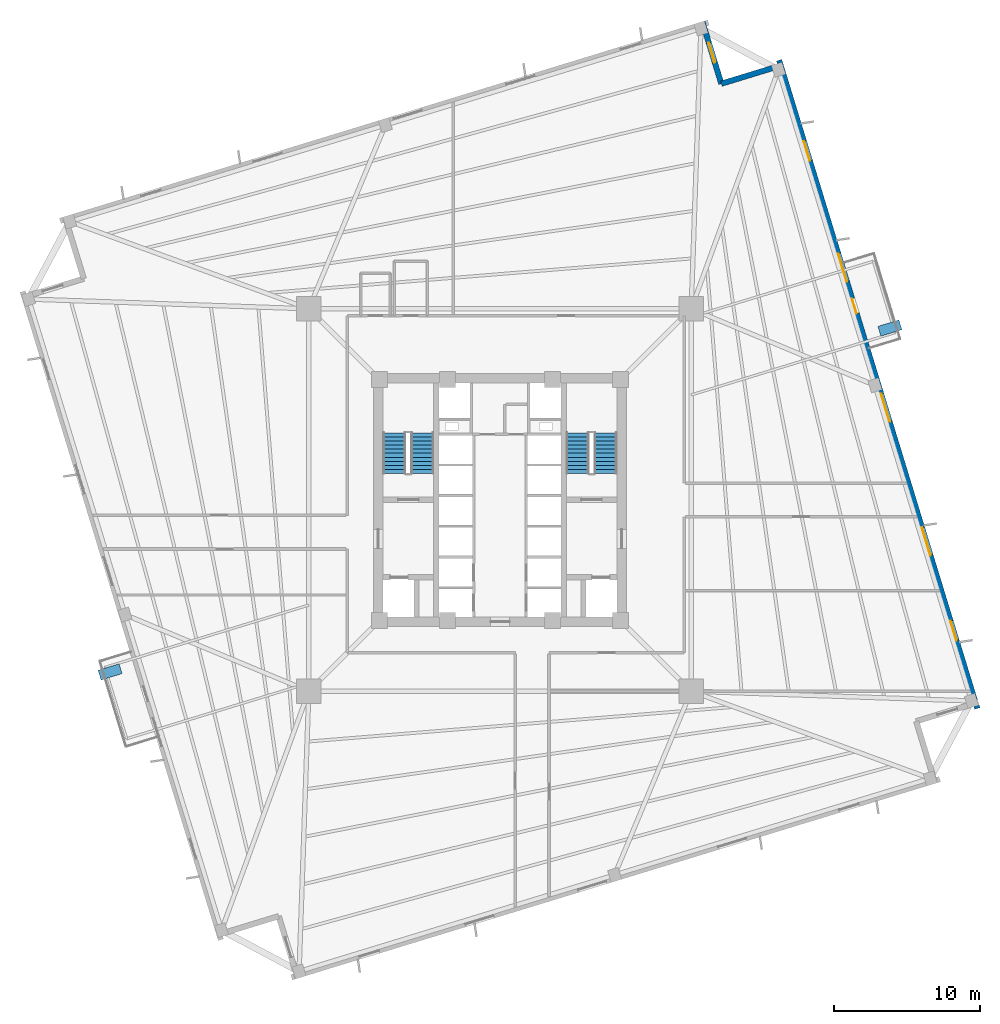
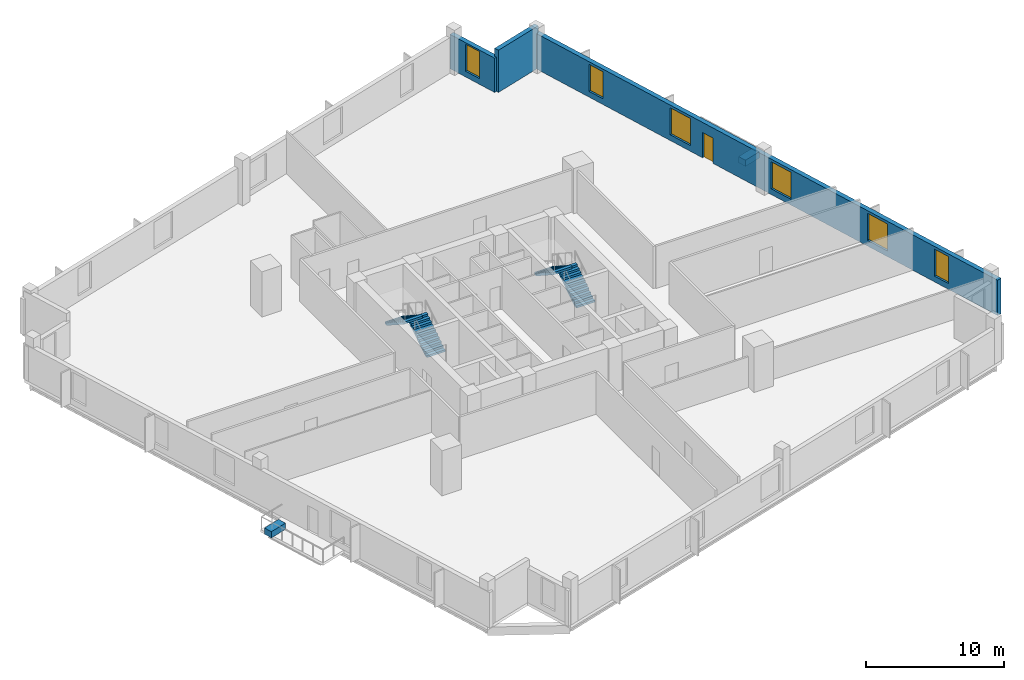
# One storey, part 6 of 9: 6 windows, 4 stair flights, 3 walls, 2 discrete accessories, 1 door, 7 openings, 2 elements without a shape of their own.
"""IFC4 building model written with IfcOpenShell, lengths in metres."""

from ifc_helpers import new_model, si_unit, direction, frame, frame_2d, origin, origin_2d, place, context, subcontext, project, spatial, polyline, rectangle, outline, extrude, source, transform, mapped, material, layer, layer_set, type_object, element, fill, aggregate, save


model = new_model("IFC4")

# Units and contexts
model_context = context("Model", 3, precision=1e-05, world=origin(), true_north=direction((0.0, 1.0)))
body_context = subcontext(model_context, "Body", "Model", "MODEL_VIEW")
ifc_project = project(units=[si_unit("LENGTHUNIT", "METRE"), si_unit("AREAUNIT", "SQUARE_METRE"), si_unit("VOLUMEUNIT", "CUBIC_METRE"), si_unit("PLANEANGLEUNIT", "RADIAN"), si_unit("MASSUNIT", "GRAM", prefix="KILO"), si_unit("THERMODYNAMICTEMPERATUREUNIT", "KELVIN")], contexts=[model_context])

# Site, building, storey
site_placement = place(None, origin())
site = spatial("IfcSite", under=ifc_project, at=site_placement, CompositionType="ELEMENT")
building_placement = place(site_placement, origin())
building = spatial("IfcBuilding", under=site, at=building_placement, Name="Kosmvard Interchange Tower", CompositionType="ELEMENT")
storey_placement = place(building_placement, frame((0.0, 0.0, 95.199951171875)))
storey = spatial("IfcBuildingStorey", under=building, at=storey_placement, Name="L22", CompositionType="ELEMENT", Elevation=95.199951171875)

# Wall, openings, door, windows
ifc_material_1 = material(Name="Precast concrete C45/55", Category="concrete")
ifc_layer = layer(ifc_material_1, 0.3798828125, Name="Precast concrete C45/55")
ifc_layer_set = layer_set([ifc_layer], Name="Precast concrete C45/55")
wall_type = type_object("IfcWallType", Name="Lower Tower Precast Pier Wall 380 C45/55", PredefinedType="STANDARD", material=ifc_layer_set)
wall_1_placement = place(storey_placement, frame((32.65771484375, -14.26513671875, 0.0), z_axis=(0.0, 0.0, 1.0), x_axis=(-0.292373127906, 0.956304320851, 0.0)))
wall_1 = element("IfcWall", 1, at=wall_1_placement, inside=storey, type_object=wall_type, Name="L22 Precast Facade Wall F-E", PredefinedType="STANDARD", context=body_context, shape_type="SweptSolid", body=[
    extrude(rectangle(XDim=46.380126953125, YDim=0.3798828125, at=frame_2d((23.18994140625, 0.0))), origin(), (0.0, 0.0, 1.0), 3.14013671875),
])
opening_1_placement = place(wall_1_placement, frame((28.264892578125, 0.0, 0.0)))
opening_1 = element("IfcOpeningElement", 2, at=opening_1_placement, cuts=wall_1, Name="Opening L22-BDE", PredefinedType="OPENING", context=body_context, shape_type="SweptSolid", body=[
    extrude(rectangle(XDim=1.050048828125, YDim=2.25, at=frame_2d((0.52490234375, 1.125))), frame((0.0, 0.199951171875, 0.0), z_axis=(0.0, -1.0, 0.0), x_axis=(1.0, 0.0, 0.0)), (0.0, 0.0, 1.0), 0.39990234375),
])
opening_2_placement = place(wall_1_placement, frame((4.865478515625, 0.0, 0.510009765625)))
opening_2 = element("IfcOpeningElement", 3, at=opening_2_placement, cuts=wall_1, Name="Opening L22-W06", PredefinedType="OPENING", context=body_context, shape_type="SweptSolid", body=[
    extrude(rectangle(XDim=1.39990234375, YDim=2.39990234375, at=frame_2d((0.699951171875, 1.199951171875))), frame((0.0, 0.199951171875, 0.0), z_axis=(0.0, -1.0, 0.0), x_axis=(1.0, 0.0, 0.0)), (0.0, 0.0, 1.0), 0.39990234375),
])
opening_3_placement = place(wall_1_placement, frame((10.9501953125, 0.0, 0.510009765625)))
opening_3 = element("IfcOpeningElement", 4, at=opening_3_placement, cuts=wall_1, Name="Opening L22-W07", PredefinedType="OPENING", context=body_context, shape_type="SweptSolid", body=[
    extrude(rectangle(XDim=2.0, YDim=2.39990234375, at=frame_2d((1.0, 1.199951171875))), frame((0.0, 0.199951171875, 0.0), z_axis=(0.0, -1.0, 0.0), x_axis=(1.0, 0.0, 0.0)), (0.0, 0.0, 1.0), 0.39990234375),
])
opening_4_placement = place(wall_1_placement, frame((20.512451171875, 0.0, 0.510009765625)))
opening_4 = element("IfcOpeningElement", 5, at=opening_4_placement, cuts=wall_1, Name="Opening L22-W08", PredefinedType="OPENING", context=body_context, shape_type="SweptSolid", body=[
    extrude(rectangle(XDim=2.0, YDim=2.39990234375, at=frame_2d((1.0, 1.199951171875))), frame((0.0, 0.199951171875, 0.0), z_axis=(0.0, -1.0, 0.0), x_axis=(1.0, 0.0, 0.0)), (0.0, 0.0, 1.0), 0.39990234375),
])
opening_5_placement = place(wall_1_placement, frame((30.538330078125, 0.0, 0.510009765625)))
opening_5 = element("IfcOpeningElement", 6, at=opening_5_placement, cuts=wall_1, Name="Opening L22-W09", PredefinedType="OPENING", context=body_context, shape_type="SweptSolid", body=[
    extrude(rectangle(XDim=2.0, YDim=2.39990234375, at=frame_2d((1.0, 1.199951171875))), frame((0.0, 0.199951171875, 0.0), z_axis=(0.0, -1.0, 0.0), x_axis=(1.0, 0.0, 0.0)), (0.0, 0.0, 1.0), 0.39990234375),
])
opening_6_placement = place(wall_1_placement, frame((39.186767578125, 0.0, 0.510009765625)))
opening_6 = element("IfcOpeningElement", 7, at=opening_6_placement, cuts=wall_1, Name="Opening L22-W10", PredefinedType="OPENING", context=body_context, shape_type="SweptSolid", body=[
    extrude(rectangle(XDim=1.39990234375, YDim=2.39990234375, at=frame_2d((0.699951171875, 1.199951171875))), frame((0.0, 0.199951171875, 0.0), z_axis=(0.0, -1.0, 0.0), x_axis=(1.0, 0.0, 0.0)), (0.0, 0.0, 1.0), 0.39990234375),
])
ifc_material_2 = material(Name="Anodised aluminium and safety glass", Category="aluminium")
door_type = type_object("IfcDoorType", Name="Tree-Balcony Glazed Door 1050x2250", OperationType="NOTDEFINED", PredefinedType="DOOR", material=ifc_material_2)
shared_shape_1 = source(origin(), body_context, "Body", "SweptSolid", [
    extrude(rectangle(XDim=1.050048828125, YDim=2.25, at=frame_2d((0.52490234375, 1.125))), frame((0.0, 0.02490234375, 0.0), z_axis=(0.0, -1.0, 0.0), x_axis=(1.0, 0.0, 0.0)), (0.0, 0.0, 1.0), 0.050048828125),
])
door_placement = place(opening_1_placement, origin())
door = element("IfcDoor", 8, at=door_placement, inside=storey, type_object=door_type, Name="L22 Tree-Balcony Door BAL-L22-E", OperationType="SINGLE_SWING_LEFT", OverallHeight=2.25, OverallWidth=1.050048828125, PredefinedType="DOOR", context=body_context, shape_type="MappedRepresentation", body=[
    mapped(shared_shape_1, transform((0.0, 0.0, 0.0), scale=1.0)),
])
fill(opening_1, door)
ifc_material_3 = material(Name="Low-E solar-control double glazing", Category="glass")
window_type_1 = type_object("IfcWindowType", Name="Notched Corner Feature Window 1400x2400", PartitioningType="SINGLE_PANEL", PredefinedType="WINDOW", material=ifc_material_3)
shared_shape_2 = source(origin(), body_context, "Body", "SweptSolid", [
    extrude(rectangle(XDim=1.39990234375, YDim=2.39990234375, at=frame_2d((0.699951171875, 1.199951171875))), frame((0.0, 0.030029296875, 0.0), z_axis=(0.0, -1.0, 0.0), x_axis=(1.0, 0.0, 0.0)), (0.0, 0.0, 1.0), 0.06005859375),
])
window_1_placement = place(opening_2_placement, origin())
window_1 = element("IfcWindow", 9, at=window_1_placement, inside=storey, type_object=window_type_1, Name="L22 Facade Punched Window 06", OverallHeight=2.39990234375, OverallWidth=1.39990234375, PartitioningType="SINGLE_PANEL", PredefinedType="WINDOW", context=body_context, shape_type="MappedRepresentation", body=[
    mapped(shared_shape_2, transform((0.0, 0.0, 0.0), scale=1.0)),
])
fill(opening_2, window_1)
window_2_placement = place(opening_6_placement, origin())
window_2 = element("IfcWindow", 10, at=window_2_placement, inside=storey, type_object=window_type_1, Name="L22 Facade Punched Window 10", OverallHeight=2.39990234375, OverallWidth=1.39990234375, PartitioningType="SINGLE_PANEL", PredefinedType="WINDOW", context=body_context, shape_type="MappedRepresentation", body=[
    mapped(shared_shape_2, transform((0.0, 0.0, 0.0), scale=1.0)),
])
fill(opening_6, window_2)
window_type_2 = type_object("IfcWindowType", Name="Zone 2 Office Punched Window 2000x2400", PartitioningType="SINGLE_PANEL", PredefinedType="WINDOW", material=ifc_material_3)
shared_shape_3 = source(origin(), body_context, "Body", "SweptSolid", [
    extrude(rectangle(XDim=2.0, YDim=2.39990234375, at=frame_2d((1.0, 1.199951171875))), frame((0.0, 0.030029296875, 0.0), z_axis=(0.0, -1.0, 0.0), x_axis=(1.0, 0.0, 0.0)), (0.0, 0.0, 1.0), 0.06005859375),
])
window_3_placement = place(opening_3_placement, origin())
window_3 = element("IfcWindow", 11, at=window_3_placement, inside=storey, type_object=window_type_2, Name="L22 Facade Punched Window 07", OverallHeight=2.39990234375, OverallWidth=2.0, PartitioningType="SINGLE_PANEL", PredefinedType="WINDOW", context=body_context, shape_type="MappedRepresentation", body=[
    mapped(shared_shape_3, transform((0.0, 0.0, 0.0), scale=1.0)),
])
fill(opening_3, window_3)
window_4_placement = place(opening_4_placement, origin())
window_4 = element("IfcWindow", 12, at=window_4_placement, inside=storey, type_object=window_type_2, Name="L22 Facade Punched Window 08", OverallHeight=2.39990234375, OverallWidth=2.0, PartitioningType="SINGLE_PANEL", PredefinedType="WINDOW", context=body_context, shape_type="MappedRepresentation", body=[
    mapped(shared_shape_3, transform((0.0, 0.0, 0.0), scale=1.0)),
])
fill(opening_4, window_4)
window_5_placement = place(opening_5_placement, origin())
window_5 = element("IfcWindow", 13, at=window_5_placement, inside=storey, type_object=window_type_2, Name="L22 Facade Punched Window 09", OverallHeight=2.39990234375, OverallWidth=2.0, PartitioningType="SINGLE_PANEL", PredefinedType="WINDOW", context=body_context, shape_type="MappedRepresentation", body=[
    mapped(shared_shape_3, transform((0.0, 0.0, 0.0), scale=1.0)),
])
fill(opening_5, window_5)

# Wall
wall_2_placement = place(storey_placement, frame((19.20849609375, 29.724853515625, 0.0), z_axis=(0.0, 0.0, 1.0), x_axis=(-0.956312764915, -0.292345507338, 0.0)))
element("IfcWall", 14, at=wall_2_placement, inside=storey, type_object=wall_type, Name="L22 Precast Facade Wall N-NE1", PredefinedType="STANDARD", context=body_context, shape_type="SweptSolid", body=[
    extrude(rectangle(XDim=4.249755859375, YDim=0.3798828125, at=frame_2d((2.125, 0.0))), origin(), (0.0, 0.0, 1.0), 3.739990234375),
])

# Wall, opening, window
wall_3_placement = place(storey_placement, frame((15.144287109375, 28.482421875, 0.0), z_axis=(0.0, 0.0, 1.0), x_axis=(-0.292373601522, 0.956304176051, 0.0)))
wall_3 = element("IfcWall", 15, at=wall_3_placement, inside=storey, type_object=wall_type, Name="L22 Precast Facade Wall N-NE2", PredefinedType="STANDARD", context=body_context, shape_type="SweptSolid", body=[
    extrude(rectangle(XDim=4.43994140625, YDim=0.3798828125, at=frame_2d((2.219970703125, 0.0))), origin(), (0.0, 0.0, 1.0), 3.0400390625),
])
opening_7_placement = place(wall_3_placement, frame((1.52001953125, 0.0, 0.510009765625)))
opening_7 = element("IfcOpeningElement", 16, at=opening_7_placement, cuts=wall_3, Name="Opening L22-W22", PredefinedType="OPENING", context=body_context, shape_type="SweptSolid", body=[
    extrude(rectangle(XDim=1.39990234375, YDim=2.39990234375, at=frame_2d((0.699951171875, 1.199951171875))), frame((0.0, 0.199951171875, 0.0), z_axis=(0.0, -1.0, 0.0), x_axis=(1.0, 0.0, 0.0)), (0.0, 0.0, 1.0), 0.39990234375),
])
window_6_placement = place(opening_7_placement, origin())
window_6 = element("IfcWindow", 17, at=window_6_placement, inside=storey, type_object=window_type_1, Name="L22 Corner Notch Window 22", OverallHeight=2.39990234375, OverallWidth=1.39990234375, PartitioningType="SINGLE_PANEL", PredefinedType="WINDOW", context=body_context, shape_type="MappedRepresentation", body=[
    mapped(shared_shape_2, transform((0.0, 0.0, 0.0), scale=1.0)),
])
fill(opening_7, window_6)

# Stair, stair flights
ifc_material_4 = material(Name="Concrete C50/60", Category="concrete")
stair_type = type_object("IfcStairType", Name="Dog-Leg Core Exit Stair H4000 C50/60", PredefinedType="HALF_TURN_STAIR", material=ifc_material_4)
stair_1_placement = place(storey_placement, origin())
stair_1 = element("IfcStair", 18, at=stair_1_placement, inside=storey, type_object=stair_type, Name="L22 Protected Exit Stair ST-1", PredefinedType="HALF_TURN_STAIR")
stair_flight_type = type_object("IfcStairFlightType", Name="Core Stair Flight W1550 H4000 C50/60", PredefinedType="STRAIGHT", material=ifc_material_4)
shared_shape_4 = source(origin(), body_context, "Body", "SweptSolid", [
    extrude(outline(polyline([(0.0, 0.0), (0.0, 0.181884765625), (0.280029296875, 0.181884765625), (0.280029296875, 0.363525390625), (0.56005859375, 0.363525390625), (0.56005859375, 0.54541015625), (0.840087890625, 0.54541015625), (0.840087890625, 0.727294921875), (1.1201171875, 0.727294921875), (1.1201171875, 0.9091796875), (1.39990234375, 0.9091796875), (1.39990234375, 1.0908203125), (1.679931640625, 1.0908203125), (1.679931640625, 1.272705078125), (1.9599609375, 1.272705078125), (1.9599609375, 1.45458984375), (2.239990234375, 1.45458984375), (2.239990234375, 1.636474609375), (2.52001953125, 1.636474609375), (2.52001953125, 1.818115234375), (2.800048828125, 1.818115234375), (2.800048828125, 2.0), (2.800048828125, 1.62744140625), (0.293701171875, 0.0), (0.0, 0.0)])), frame((0.0, 0.77490234375, 0.0), z_axis=(0.0, -1.0, 0.0), x_axis=(1.0, 0.0, 0.0)), (0.0, 0.0, 1.0), 1.550048828125),
])
stair_flight_1_placement = place(storey_placement, frame((-5.31494140625, 1.800048828125, 0.0), z_axis=(0.0, 0.0, 1.0), x_axis=(0.0, 1.0, 0.0)))
stair_flight_1 = element("IfcStairFlight", 19, at=stair_flight_1_placement, type_object=stair_flight_type, Name="ST-1 flight 1", NumberOfRisers=11, NumberOfTreads=10, PredefinedType="STRAIGHT", RiserHeight=0.181818182, TreadLength=0.28, context=body_context, shape_type="MappedRepresentation", body=[
    mapped(shared_shape_4, transform((0.0, 0.0, 0.0), scale=1.0)),
])
stair_flight_2_placement = place(storey_placement, frame((-7.22509765625, 4.60009765625, 2.0), z_axis=(0.0, 0.0, 1.0), x_axis=(0.0, -1.0, 0.0)))
stair_flight_2 = element("IfcStairFlight", 20, at=stair_flight_2_placement, type_object=stair_flight_type, Name="ST-1 flight 2", NumberOfRisers=11, NumberOfTreads=10, PredefinedType="STRAIGHT", RiserHeight=0.181818182, TreadLength=0.28, context=body_context, shape_type="MappedRepresentation", body=[
    mapped(shared_shape_4, transform((0.0, 0.0, 0.0), scale=1.0)),
])
aggregate(stair_1, [stair_flight_1, stair_flight_2])

stair_2_placement = place(storey_placement, origin())
stair_2 = element("IfcStair", 21, at=stair_2_placement, inside=storey, type_object=stair_type, Name="L22 Protected Exit Stair ST-2", PredefinedType="HALF_TURN_STAIR")
stair_flight_3_placement = place(storey_placement, frame((7.22509765625, 1.800048828125, 0.0), z_axis=(0.0, 0.0, 1.0), x_axis=(0.0, 1.0, 0.0)))
stair_flight_3 = element("IfcStairFlight", 22, at=stair_flight_3_placement, type_object=stair_flight_type, Name="ST-2 flight 1", NumberOfRisers=11, NumberOfTreads=10, PredefinedType="STRAIGHT", RiserHeight=0.181818182, TreadLength=0.28, context=body_context, shape_type="MappedRepresentation", body=[
    mapped(shared_shape_4, transform((0.0, 0.0, 0.0), scale=1.0)),
])
stair_flight_4_placement = place(storey_placement, frame((5.31494140625, 4.60009765625, 2.0), z_axis=(0.0, 0.0, 1.0), x_axis=(0.0, -1.0, 0.0)))
stair_flight_4 = element("IfcStairFlight", 23, at=stair_flight_4_placement, type_object=stair_flight_type, Name="ST-2 flight 2", NumberOfRisers=11, NumberOfTreads=10, PredefinedType="STRAIGHT", RiserHeight=0.181818182, TreadLength=0.28, context=body_context, shape_type="MappedRepresentation", body=[
    mapped(shared_shape_4, transform((0.0, 0.0, 0.0), scale=1.0)),
])
aggregate(stair_2, [stair_flight_3, stair_flight_4])

# Discrete accessories
ifc_material_5 = material(Name="Terracotta precast planter concrete C45/55", Category="masonry")
discrete_accessory_type = type_object("IfcDiscreteAccessoryType", Name="Precast Tree-Balcony & Terrace Planter Box", PredefinedType="USERDEFINED", material=ifc_material_5)
shared_shape_5 = source(origin(), body_context, "Body", "SweptSolid", [
    extrude(rectangle(XDim=1.5, YDim=0.699951171875, at=origin_2d()), origin(), (0.0, 0.0, 1.0), 0.550048828125),
])
for number, where, z_axis, x_axis, name in (
    (24, (26.67626953125, 11.763427734375, 0.0), (0.0, 0.0, 1.0), (0.956304755963, 0.292371704723, 0.0), "L22 Balcony Tree Planter BAL-L22-E"),
    (25, (-26.67626953125, -11.763427734375, 0.0), (0.0, 0.0, 1.0), (0.956304755963, 0.292371704723, 0.0), "L22 Balcony Tree Planter BAL-L22-W"),
):
    element("IfcDiscreteAccessory", number, at=place(storey_placement, frame(where, z_axis=z_axis, x_axis=x_axis)), inside=storey, type_object=discrete_accessory_type, Name=name, ObjectType="PLANTER", PredefinedType="USERDEFINED", context=body_context, shape_type="MappedRepresentation", body=[
        mapped(shared_shape_5, transform((0.0, 0.0, 0.0), scale=1.0)),
    ])

save(model, "model.ifc")
